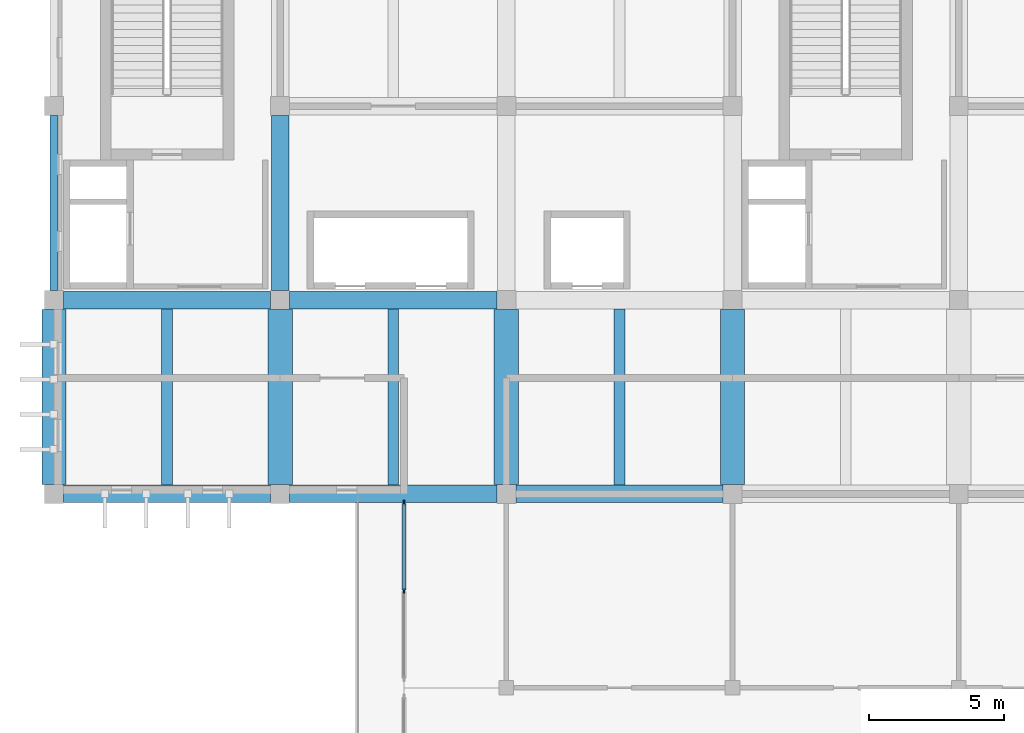
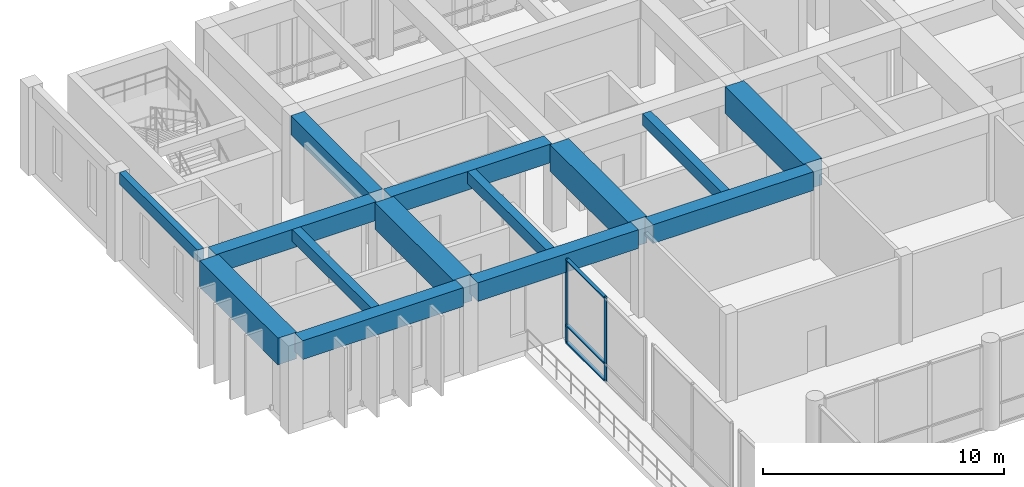
# One storey, part 5 of 17: 14 beams, 5 members, 1 element without a shape of its own.
"""IFC4 building model written with IfcOpenShell, lengths in metres."""

from ifc_helpers import new_model, si_unit, direction, frame, origin, origin_2d, place, context, subcontext, project, spatial, rectangle, extrude, material, material_profile, profile_set, type_object, element, aggregate, save


model = new_model("IFC4")

# Units and contexts
model_context = context("Model", 3, precision=1e-05, world=origin(), true_north=direction((0.0, 1.0)))
body_context = subcontext(model_context, "Body", "Model", "MODEL_VIEW")
ifc_project = project(units=[si_unit("LENGTHUNIT", "METRE"), si_unit("AREAUNIT", "SQUARE_METRE"), si_unit("VOLUMEUNIT", "CUBIC_METRE"), si_unit("PLANEANGLEUNIT", "RADIAN"), si_unit("MASSUNIT", "GRAM", prefix="KILO")], contexts=[model_context])

# Site, building, storey
site_placement = place(None, origin())
site = spatial("IfcSite", under=ifc_project, at=site_placement, CompositionType="ELEMENT")
building_placement = place(site_placement, origin())
building = spatial("IfcBuilding", under=site, at=building_placement, Name="Kenerak Square Central Library", CompositionType="ELEMENT")
storey_placement = place(building_placement, frame((0.0, 0.0, 23.360107421875)))
storey = spatial("IfcBuildingStorey", under=building, at=storey_placement, Name="L05", CompositionType="ELEMENT", Elevation=23.360107421875)

# Beams
ifc_material_1 = material(Name="Concrete C45/55", Category="concrete")
ifc_material_profile_1 = material_profile(ifc_material_1, rectangle(XDim=0.64990234375, YDim=0.949951171875, at=origin_2d()), Name="RC 650x950")
ifc_profile_set_1 = profile_set([ifc_material_profile_1], Name="Concrete C45/55")
beam_type_1 = type_object("IfcBeamType", Name="Book Stack Girder B-02 RC 650x950 C45/55", PredefinedType="BEAM", material=ifc_profile_set_1)
beam_1_placement = place(storey_placement, frame((58.75, 88.800048828125, 4.0048828125), z_axis=(1.0, 0.0, 0.0), x_axis=(0.0, 1.0, 0.0)))
element("IfcBeam", 1, at=beam_1_placement, inside=storey, type_object=beam_type_1, Name="Beam B-02 L05 1646", PredefinedType="BEAM", context=body_context, shape_type="SweptSolid", body=[
    extrude(rectangle(XDim=0.64990234375, YDim=0.949951171875, at=origin_2d()), origin(), (0.0, 0.0, 1.0), 7.699951171875),
])
beam_2_placement = place(storey_placement, frame((67.14990234375, 88.800048828125, 4.0048828125), z_axis=(1.0, 0.0, 0.0), x_axis=(0.0, 1.0, 0.0)))
element("IfcBeam", 2, at=beam_2_placement, inside=storey, type_object=beam_type_1, Name="Beam B-02 L05 1647", PredefinedType="BEAM", context=body_context, shape_type="SweptSolid", body=[
    extrude(rectangle(XDim=0.64990234375, YDim=0.949951171875, at=origin_2d()), origin(), (0.0, 0.0, 1.0), 7.7001953125),
])
for number, where, z_axis, x_axis, name in (
    (3, (75.550048828125, 88.800048828125, 4.0048828125), (1.0, 0.0, 0.0), (0.0, 1.0, 0.0), "Beam B-02 L05 1648"),
    (4, (58.75, 96.0, 4.0048828125), (1.0, 0.0, 0.0), (0.0, 1.0, 0.0), "Beam B-02 L05 1653"),
):
    element("IfcBeam", number, at=place(storey_placement, frame(where, z_axis=z_axis, x_axis=x_axis)), inside=storey, type_object=beam_type_1, Name=name, PredefinedType="BEAM", context=body_context, shape_type="SweptSolid", body=[
        extrude(rectangle(XDim=0.64990234375, YDim=0.949951171875, at=origin_2d()), origin(), (0.0, 0.0, 1.0), 7.699951171875),
    ])
beam_3_placement = place(storey_placement, frame((67.14990234375, 96.0, 4.0048828125), z_axis=(1.0, 0.0, 0.0), x_axis=(0.0, 1.0, 0.0)))
element("IfcBeam", 5, at=beam_3_placement, inside=storey, type_object=beam_type_1, Name="Beam B-02 L05 1654", PredefinedType="BEAM", context=body_context, shape_type="SweptSolid", body=[
    extrude(rectangle(XDim=0.64990234375, YDim=0.949951171875, at=origin_2d()), origin(), (0.0, 0.0, 1.0), 7.7001953125),
])
beam_4_placement = place(storey_placement, frame((66.800048828125, 96.35009765625, 4.0048828125), z_axis=(0.0, 1.0, 0.0), x_axis=(-1.0, 0.0, 0.0)))
element("IfcBeam", 6, at=beam_4_placement, inside=storey, type_object=beam_type_1, Name="Beam B-02 L05 1672", PredefinedType="BEAM", context=body_context, shape_type="SweptSolid", body=[
    extrude(rectangle(XDim=0.64990234375, YDim=0.949951171875, at=origin_2d()), origin(), (0.0, 0.0, 1.0), 6.5),
])
ifc_material_2 = material(Name="Concrete C40/50", Category="concrete")
ifc_material_profile_2 = material_profile(ifc_material_2, rectangle(XDim=0.300048828125, YDim=0.60009765625, at=origin_2d()), Name="RC 300x600")
ifc_profile_set_2 = profile_set([ifc_material_profile_2], Name="Concrete C40/50")
beam_type_2 = type_object("IfcBeamType", Name="Courtyard Spandrel Beam SP-02 RC 300x600 C40/50", PredefinedType="SPANDREL", material=ifc_profile_set_2)
beam_5_placement = place(storey_placement, frame((58.39990234375, 96.35009765625, 4.179931640625), z_axis=(0.0, 1.0, 0.0), x_axis=(-1.0, 0.0, 0.0)))
element("IfcBeam", 7, at=beam_5_placement, inside=storey, type_object=beam_type_2, Name="Beam SP-02 L05 1669", PredefinedType="SPANDREL", context=body_context, shape_type="SweptSolid", body=[
    extrude(rectangle(XDim=0.300048828125, YDim=0.60009765625, at=origin_2d()), origin(), (0.0, 0.0, 1.0), 6.5),
])

# Curtain wall, members
ifc_material_3 = material(Name="Anodised aluminium and solar-control low-E glazing", Category="aluminium")
curtain_wall_type = type_object("IfcCurtainWallType", Name="Curtain Wall CW-V4-66x42 6600x4255", PredefinedType="USERDEFINED", material=ifc_material_3)
curtain_wall_placement = place(storey_placement, origin())
curtain_wall = element("IfcCurtainWall", 8, at=curtain_wall_placement, inside=storey, type_object=curtain_wall_type, Name="Curtain Wall CW-V4-66x42 L05 0154", ObjectType="CURTAIN WALL", PredefinedType="USERDEFINED")
ifc_material_4 = material(Name="Anodised aluminium 6063-T6", Category="aluminium")
ifc_material_profile_3 = material_profile(ifc_material_4, rectangle(XDim=0.06494140625, YDim=0.179931640625, at=origin_2d()), Name="AL MULLION 65x180")
ifc_profile_set_3 = profile_set([ifc_material_profile_3], Name="Anodised aluminium 6063-T6")
member_type_1 = type_object("IfcMemberType", Name="Curtain Mullion CM-01 65x180", PredefinedType="MULLION", material=ifc_profile_set_3)
member_1_placement = place(storey_placement, frame((71.39990234375, 85.199951171875, 0.0), z_axis=(0.0, 0.0, 1.0), x_axis=(-1.0, 0.0, 0.0)))
member_1 = element("IfcMember", 9, at=member_1_placement, type_object=member_type_1, Name="CW-V4-66x42 Mullion 2", PredefinedType="MULLION", context=body_context, shape_type="SweptSolid", body=[
    extrude(rectangle(XDim=0.06494140625, YDim=0.179931640625, at=origin_2d()), origin(), (0.0, 0.0, 1.0), 4.2548828125),
])
member_2_placement = place(storey_placement, frame((71.39990234375, 88.467529296875, 0.0), z_axis=(0.0, 0.0, 1.0), x_axis=(-1.0, 0.0, 0.0)))
member_2 = element("IfcMember", 10, at=member_2_placement, type_object=member_type_1, Name="CW-V4-66x42 Mullion 3", PredefinedType="MULLION", context=body_context, shape_type="SweptSolid", body=[
    extrude(rectangle(XDim=0.06494140625, YDim=0.179931640625, at=origin_2d()), origin(), (0.0, 0.0, 1.0), 4.2548828125),
])
ifc_material_profile_4 = material_profile(ifc_material_4, rectangle(XDim=0.159912109375, YDim=0.06494140625, at=origin_2d()), Name="AL TRANSOM 160x65")
ifc_profile_set_4 = profile_set([ifc_material_profile_4], Name="Anodised aluminium 6063-T6")
member_type_2 = type_object("IfcMemberType", Name="Curtain Transom CT-11 160x65", PredefinedType="USERDEFINED", material=ifc_profile_set_4)
member_3_placement = place(storey_placement, frame((71.39990234375, 85.232421875, 0.032470703125), z_axis=(0.0, 1.0, 0.0), x_axis=(-1.0, 0.0, 0.0)))
member_3 = element("IfcMember", 11, at=member_3_placement, type_object=member_type_2, Name="CW-V4-66x42 Transom 2.1", ObjectType="TRANSOM", PredefinedType="USERDEFINED", context=body_context, shape_type="SweptSolid", body=[
    extrude(rectangle(XDim=0.159912109375, YDim=0.06494140625, at=origin_2d()), origin(), (0.0, 0.0, 1.0), 3.20263671875),
])
member_4_placement = place(storey_placement, frame((71.39990234375, 85.232421875, 0.89990234375), z_axis=(0.0, 1.0, 0.0), x_axis=(-1.0, 0.0, 0.0)))
member_4 = element("IfcMember", 12, at=member_4_placement, type_object=member_type_2, Name="CW-V4-66x42 Transom 2.2", ObjectType="TRANSOM", PredefinedType="USERDEFINED", context=body_context, shape_type="SweptSolid", body=[
    extrude(rectangle(XDim=0.159912109375, YDim=0.06494140625, at=origin_2d()), origin(), (0.0, 0.0, 1.0), 3.20263671875),
])
member_5_placement = place(storey_placement, frame((71.39990234375, 85.232421875, 4.222412109375), z_axis=(0.0, 1.0, 0.0), x_axis=(-1.0, 0.0, 0.0)))
member_5 = element("IfcMember", 13, at=member_5_placement, type_object=member_type_2, Name="CW-V4-66x42 Transom 2.3", ObjectType="TRANSOM", PredefinedType="USERDEFINED", context=body_context, shape_type="SweptSolid", body=[
    extrude(rectangle(XDim=0.159912109375, YDim=0.06494140625, at=origin_2d()), origin(), (0.0, 0.0, 1.0), 3.20263671875),
])
aggregate(curtain_wall, [member_1, member_2, member_3, member_4, member_5])

# Beams
ifc_material_profile_5 = material_profile(ifc_material_2, rectangle(XDim=0.39990234375, YDim=0.60009765625, at=origin_2d()), Name="RC 400x600")
ifc_profile_set_5 = profile_set([ifc_material_profile_5], Name="Concrete C40/50")
beam_type_3 = type_object("IfcBeamType", Name="Secondary Floor Joist J-01 RC 400x600 C40/50", PredefinedType="JOIST", material=ifc_profile_set_5)
for number, where, z_axis, x_axis, name in (
    (14, (62.60009765625, 89.125, 4.179931640625), (0.0, 1.0, 0.0), (-1.0, 0.0, 0.0), "Joist J-01 L05 1692"),
    (15, (71.0, 89.125, 4.179931640625), (0.0, 1.0, 0.0), (-1.0, 0.0, 0.0), "Joist J-01 L05 1693"),
    (16, (79.39990234375, 89.125, 4.179931640625), (0.0, 1.0, 0.0), (-1.0, 0.0, 0.0), "Joist J-01 L05 1695"),
):
    element("IfcBeam", number, at=place(storey_placement, frame(where, z_axis=z_axis, x_axis=x_axis)), inside=storey, type_object=beam_type_3, Name=name, PredefinedType="JOIST", context=body_context, shape_type="SweptSolid", body=[
        extrude(rectangle(XDim=0.39990234375, YDim=0.60009765625, at=origin_2d()), origin(), (0.0, 0.0, 1.0), 6.550048828125),
    ])
ifc_material_profile_6 = material_profile(ifc_material_1, rectangle(XDim=0.89990234375, YDim=1.35009765625, at=origin_2d()), Name="RC 900x1350")
ifc_profile_set_6 = profile_set([ifc_material_profile_6], Name="Concrete C45/55")
beam_type_4 = type_object("IfcBeamType", Name="Transfer Girder TG-02 RC 900x1350 C45/55", PredefinedType="BEAM", material=ifc_profile_set_6)
for number, where, z_axis, x_axis, name in (
    (17, (58.39990234375, 89.14990234375, 3.804931640625), (0.0, 1.0, 0.0), (-1.0, 0.0, 0.0), "Beam TG-02 L05 1668"),
    (18, (66.800048828125, 89.14990234375, 3.804931640625), (0.0, 1.0, 0.0), (-1.0, 0.0, 0.0), "Beam TG-02 L05 1671"),
    (19, (75.199951171875, 89.14990234375, 3.804931640625), (0.0, 1.0, 0.0), (-1.0, 0.0, 0.0), "Beam TG-02 L05 1674"),
    (20, (83.60009765625, 89.14990234375, 3.804931640625), (0.0, 1.0, 0.0), (-1.0, 0.0, 0.0), "Beam TG-02 L05 1677"),
):
    element("IfcBeam", number, at=place(storey_placement, frame(where, z_axis=z_axis, x_axis=x_axis)), inside=storey, type_object=beam_type_4, Name=name, PredefinedType="BEAM", context=body_context, shape_type="SweptSolid", body=[
        extrude(rectangle(XDim=0.89990234375, YDim=1.35009765625, at=origin_2d()), origin(), (0.0, 0.0, 1.0), 6.5),
    ])

save(model, "model.ifc")
